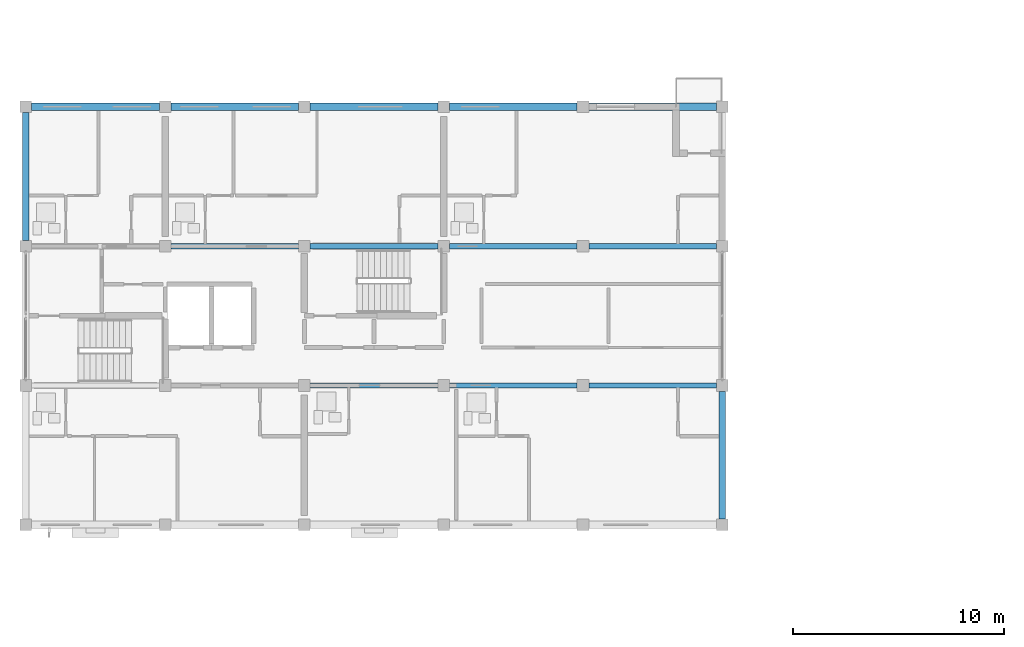
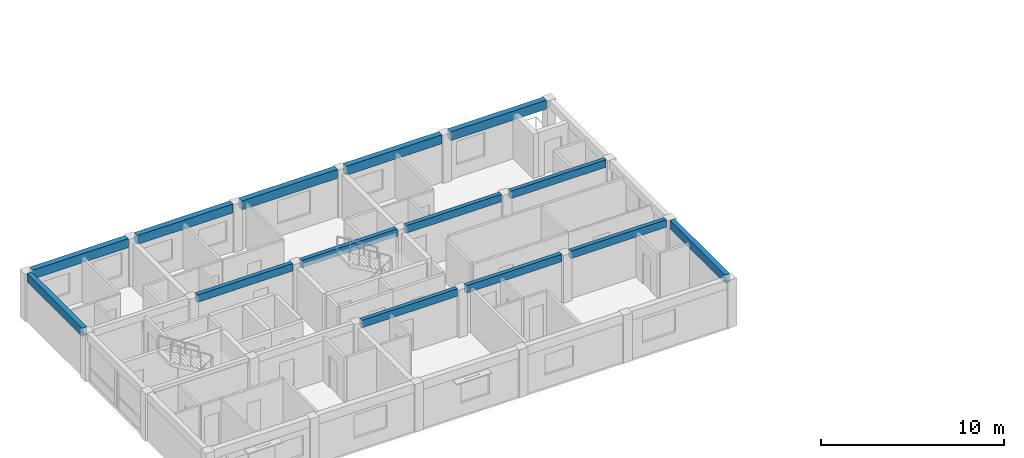
# One storey, part 17 of 53: 14 beams.
"""IFC4 building model written with IfcOpenShell, lengths in metres."""

from ifc_helpers import new_model, si_unit, direction, frame, origin, origin_2d, place, context, subcontext, project, spatial, rectangle, extrude, material, material_profile, profile_set, type_object, element, save


model = new_model("IFC4")

# Units and contexts
model_context = context("Model", 3, precision=1e-05, world=origin(), true_north=direction((0.0, 1.0)))
body_context = subcontext(model_context, "Body", "Model", "MODEL_VIEW")
ifc_project = project(units=[si_unit("LENGTHUNIT", "METRE"), si_unit("AREAUNIT", "SQUARE_METRE"), si_unit("VOLUMEUNIT", "CUBIC_METRE"), si_unit("PLANEANGLEUNIT", "RADIAN"), si_unit("MASSUNIT", "GRAM", prefix="KILO")], contexts=[model_context])

# Site, building, storey
site_placement = place(None, origin())
site = spatial("IfcSite", under=ifc_project, at=site_placement, CompositionType="ELEMENT")
building_placement = place(site_placement, origin())
building = spatial("IfcBuilding", under=site, at=building_placement, Name="Kernevlak Ridge Housing Community", CompositionType="ELEMENT")
storey_placement = place(building_placement, frame((0.0, 0.0, 24.39990234375)))
storey = spatial("IfcBuildingStorey", under=building, at=storey_placement, Name="L07", CompositionType="ELEMENT", Elevation=24.39990234375)

# Beams
ifc_material = material(Name="Concrete C35/45", Category="concrete")
ifc_material_profile_1 = material_profile(ifc_material, rectangle(XDim=0.25, YDim=0.5, at=origin_2d()), Name="RC 250x500")
ifc_profile_set_1 = profile_set([ifc_material_profile_1], Name="Concrete C35/45")
beam_type_1 = type_object("IfcBeamType", Name="B-06", PredefinedType="T_BEAM", material=ifc_profile_set_1)
for number, where, z_axis, x_axis, name in (
    (1, (29.074951171875, 82.60009765625, 2.9501953125), (1.0, 0.0, 0.0), (0.0, 1.0, 0.0), "Beam B-06 L07 246"),
    (2, (35.675048828125, 82.60009765625, 2.9501953125), (1.0, 0.0, 0.0), (0.0, 1.0, 0.0), "Beam B-06 L07 247"),
    (3, (42.27490234375, 82.60009765625, 2.9501953125), (1.0, 0.0, 0.0), (0.0, 1.0, 0.0), "Beam B-06 L07 248"),
):
    element("IfcBeam", number, at=place(storey_placement, frame(where, z_axis=z_axis, x_axis=x_axis)), inside=storey, type_object=beam_type_1, Name=name, PredefinedType="T_BEAM", context=body_context, shape_type="SweptSolid", body=[
        extrude(rectangle(XDim=0.25, YDim=0.5, at=origin_2d()), origin(), (0.0, 0.0, 1.0), 6.050048828125),
    ])
beam_1_placement = place(storey_placement, frame((22.47509765625, 89.199951171875, 2.9501953125), z_axis=(1.0, 0.0, 0.0), x_axis=(0.0, 1.0, 0.0)))
element("IfcBeam", 4, at=beam_1_placement, inside=storey, type_object=beam_type_1, Name="Beam B-06 L07 250", PredefinedType="T_BEAM", context=body_context, shape_type="SweptSolid", body=[
    extrude(rectangle(XDim=0.25, YDim=0.5, at=origin_2d()), origin(), (0.0, 0.0, 1.0), 6.0498046875),
])
for number, where, z_axis, x_axis, name in (
    (5, (29.074951171875, 89.199951171875, 2.9501953125), (1.0, 0.0, 0.0), (0.0, 1.0, 0.0), "Beam B-06 L07 251"),
    (6, (35.675048828125, 89.199951171875, 2.9501953125), (1.0, 0.0, 0.0), (0.0, 1.0, 0.0), "Beam B-06 L07 252"),
    (7, (42.27490234375, 89.199951171875, 2.9501953125), (1.0, 0.0, 0.0), (0.0, 1.0, 0.0), "Beam B-06 L07 253"),
):
    element("IfcBeam", number, at=place(storey_placement, frame(where, z_axis=z_axis, x_axis=x_axis)), inside=storey, type_object=beam_type_1, Name=name, PredefinedType="T_BEAM", context=body_context, shape_type="SweptSolid", body=[
        extrude(rectangle(XDim=0.25, YDim=0.5, at=origin_2d()), origin(), (0.0, 0.0, 1.0), 6.050048828125),
    ])
ifc_material_profile_2 = material_profile(ifc_material, rectangle(XDim=0.300048828125, YDim=0.550048828125, at=origin_2d()), Name="RC 300x550")
ifc_profile_set_2 = profile_set([ifc_material_profile_2], Name="Concrete C35/45")
beam_type_2 = type_object("IfcBeamType", Name="SP-01", PredefinedType="SPANDREL", material=ifc_profile_set_2)
beam_2_placement = place(storey_placement, frame((15.60009765625, 89.47509765625, 2.925048828125), z_axis=(0.0, 1.0, 0.0), x_axis=(-1.0, 0.0, 0.0)))
element("IfcBeam", 8, at=beam_2_placement, inside=storey, type_object=beam_type_2, Name="Beam SP-01 L07 261", PredefinedType="SPANDREL", context=body_context, shape_type="SweptSolid", body=[
    extrude(rectangle(XDim=0.300048828125, YDim=0.550048828125, at=origin_2d()), origin(), (0.0, 0.0, 1.0), 6.0498046875),
])
beam_3_placement = place(storey_placement, frame((48.60009765625, 76.27490234375, 2.925048828125), z_axis=(0.0, 1.0, 0.0), x_axis=(-1.0, 0.0, 0.0)))
element("IfcBeam", 9, at=beam_3_placement, inside=storey, type_object=beam_type_2, Name="Beam SP-01 L07 262", PredefinedType="SPANDREL", context=body_context, shape_type="SweptSolid", body=[
    extrude(rectangle(XDim=0.300048828125, YDim=0.550048828125, at=origin_2d()), origin(), (0.0, 0.0, 1.0), 6.050048828125),
])
ifc_material_profile_3 = material_profile(ifc_material, rectangle(XDim=0.35009765625, YDim=0.60009765625, at=origin_2d()), Name="RC 350x600")
ifc_profile_set_3 = profile_set([ifc_material_profile_3], Name="Concrete C35/45")
beam_type_3 = type_object("IfcBeamType", Name="SP-03", PredefinedType="SPANDREL", material=ifc_profile_set_3)
beam_4_placement = place(storey_placement, frame((15.875, 95.800048828125, 2.900146484375), z_axis=(1.0, 0.0, 0.0), x_axis=(0.0, 1.0, 0.0)))
element("IfcBeam", 10, at=beam_4_placement, inside=storey, type_object=beam_type_3, Name="Beam SP-03 L07 254", PredefinedType="SPANDREL", context=body_context, shape_type="SweptSolid", body=[
    extrude(rectangle(XDim=0.35009765625, YDim=0.60009765625, at=origin_2d()), origin(), (0.0, 0.0, 1.0), 6.050048828125),
])
beam_5_placement = place(storey_placement, frame((22.47509765625, 95.800048828125, 2.900146484375), z_axis=(1.0, 0.0, 0.0), x_axis=(0.0, 1.0, 0.0)))
element("IfcBeam", 11, at=beam_5_placement, inside=storey, type_object=beam_type_3, Name="Beam SP-03 L07 255", PredefinedType="SPANDREL", context=body_context, shape_type="SweptSolid", body=[
    extrude(rectangle(XDim=0.35009765625, YDim=0.60009765625, at=origin_2d()), origin(), (0.0, 0.0, 1.0), 6.0498046875),
])
for number, where, z_axis, x_axis, name in (
    (12, (29.074951171875, 95.800048828125, 2.900146484375), (1.0, 0.0, 0.0), (0.0, 1.0, 0.0), "Beam SP-03 L07 256"),
    (13, (35.675048828125, 95.800048828125, 2.900146484375), (1.0, 0.0, 0.0), (0.0, 1.0, 0.0), "Beam SP-03 L07 257"),
    (14, (42.27490234375, 95.800048828125, 2.900146484375), (1.0, 0.0, 0.0), (0.0, 1.0, 0.0), "Beam SP-03 L07 258"),
):
    element("IfcBeam", number, at=place(storey_placement, frame(where, z_axis=z_axis, x_axis=x_axis)), inside=storey, type_object=beam_type_3, Name=name, PredefinedType="SPANDREL", context=body_context, shape_type="SweptSolid", body=[
        extrude(rectangle(XDim=0.35009765625, YDim=0.60009765625, at=origin_2d()), origin(), (0.0, 0.0, 1.0), 6.050048828125),
    ])

save(model, "model.ifc")
